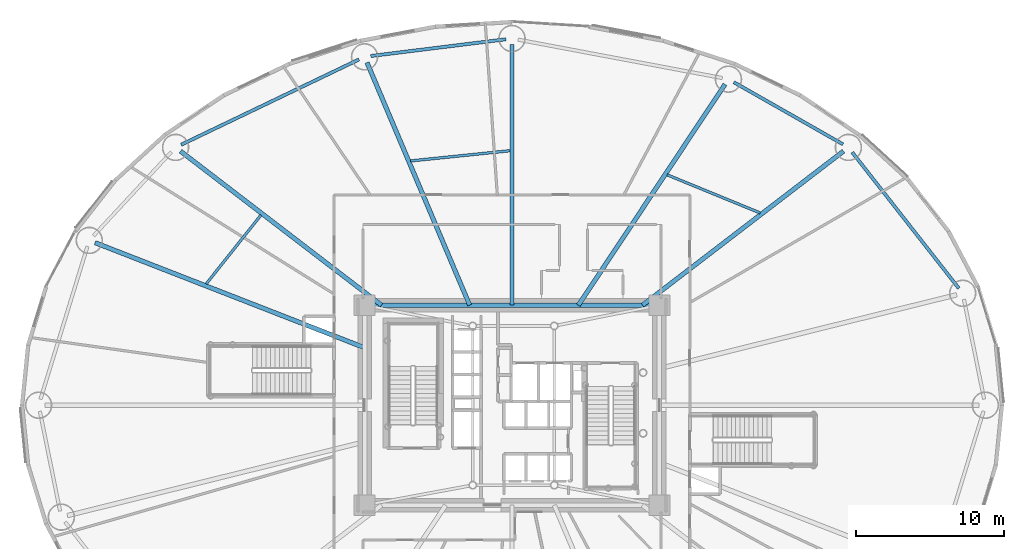
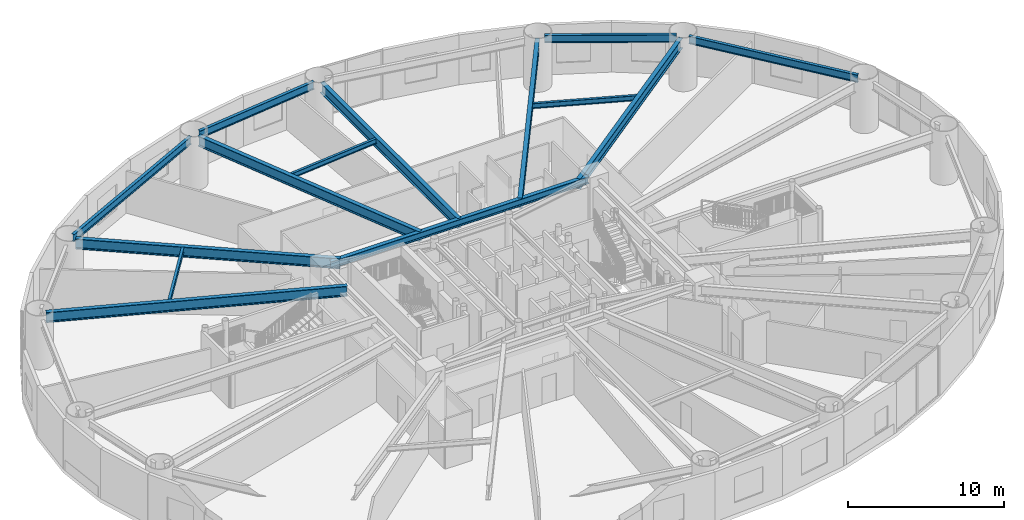
# One storey, part 9 of 27: 14 beams.
"""IFC4 building model written with IfcOpenShell, lengths in metres."""

from ifc_helpers import new_model, si_unit, direction, frame, origin, origin_2d, place, context, subcontext, project, spatial, i_section, extrude, material, material_profile, profile_set, type_object, element, save


model = new_model("IFC4")

# Units and contexts
model_context = context("Model", 3, precision=1e-05, world=origin(), true_north=direction((0.0, 1.0)))
body_context = subcontext(model_context, "Body", "Model", "MODEL_VIEW")
ifc_project = project(units=[si_unit("LENGTHUNIT", "METRE"), si_unit("AREAUNIT", "SQUARE_METRE"), si_unit("VOLUMEUNIT", "CUBIC_METRE"), si_unit("PLANEANGLEUNIT", "RADIAN"), si_unit("MASSUNIT", "GRAM", prefix="KILO")], contexts=[model_context])

# Site, building, storey
site_placement = place(None, origin())
site = spatial("IfcSite", under=ifc_project, at=site_placement, CompositionType="ELEMENT")
building_placement = place(site_placement, origin())
building = spatial("IfcBuilding", under=site, at=building_placement, Name="Linh Dai School and Residence Tower", CompositionType="ELEMENT")
storey_placement = place(building_placement, frame((0.0, 0.0, 18.60009765625)))
storey = spatial("IfcBuildingStorey", under=building, at=storey_placement, Name="L04", CompositionType="ELEMENT", Elevation=18.60009765625)

# Beams
ifc_material = material(Name="Structural Steel S355JR", Category="steel")
ifc_material_profile_1 = material_profile(ifc_material, i_section(OverallWidth=0.219970703125, OverallDepth=0.60009765625, WebThickness=0.011962890625, FlangeThickness=0.01904296875, FilletRadius=0.02392578125, at=origin_2d()), Name="IPE 600")
ifc_profile_set_1 = profile_set([ifc_material_profile_1], Name="Structural Steel S355JR")
beam_type_1 = type_object("IfcBeamType", Name="BM-RB60", PredefinedType="BEAM", material=ifc_profile_set_1)
beam_1_placement = place(storey_placement, frame((66.161376953125, 34.885986328125, 3.599853515625), z_axis=(-0.616811949607, 0.787110550572, 0.0), x_axis=(-0.787110550572, -0.616811949607, 0.0)))
element("IfcBeam", 1, at=beam_1_placement, inside=storey, type_object=beam_type_1, Name="L04 Perimeter Elliptical Ring Beam 02", PredefinedType="BEAM", context=body_context, shape_type="SweptSolid", body=[
    extrude(i_section(OverallWidth=0.219970703125, OverallDepth=0.60009765625, WebThickness=0.011962890625, FlangeThickness=0.01904296875, FilletRadius=0.02392578125, at=origin_2d()), origin(), (0.0, 0.0, 1.0), 11.668212890625),
])
beam_2_placement = place(storey_placement, frame((58.340087890625, 44.6083984375, 3.599853515625), z_axis=(-0.869246663758, 0.494378637833, 0.0), x_axis=(-0.494378637833, -0.869246663758, 0.0)))
element("IfcBeam", 2, at=beam_2_placement, inside=storey, type_object=beam_type_1, Name="L04 Perimeter Elliptical Ring Beam 03", PredefinedType="BEAM", context=body_context, shape_type="SweptSolid", body=[
    extrude(i_section(OverallWidth=0.219970703125, OverallDepth=0.60009765625, WebThickness=0.011962890625, FlangeThickness=0.01904296875, FilletRadius=0.02392578125, at=origin_2d()), origin(), (0.0, 0.0, 1.0), 8.4736328125),
])
beam_3_placement = place(storey_placement, frame((35.583251953125, 51.6982421875, 3.599853515625), z_axis=(-0.992402470446, -0.123033884169, 0.0), x_axis=(0.123033884169, -0.992402470446, 0.0)))
element("IfcBeam", 3, at=beam_3_placement, inside=storey, type_object=beam_type_1, Name="L04 Perimeter Elliptical Ring Beam 05", PredefinedType="BEAM", context=body_context, shape_type="SweptSolid", body=[
    extrude(i_section(OverallWidth=0.219970703125, OverallDepth=0.60009765625, WebThickness=0.011962890625, FlangeThickness=0.01904296875, FilletRadius=0.02392578125, at=origin_2d()), origin(), (0.0, 0.0, 1.0), 9.1875),
])
beam_4_placement = place(storey_placement, frame((25.670166015625, 50.33447265625, 3.599853515625), z_axis=(-0.901703667424, -0.432354595388, 0.0), x_axis=(0.432354595388, -0.901703667424, 0.0)))
element("IfcBeam", 4, at=beam_4_placement, inside=storey, type_object=beam_type_1, Name="L04 Perimeter Elliptical Ring Beam 06", PredefinedType="BEAM", context=body_context, shape_type="SweptSolid", body=[
    extrude(i_section(OverallWidth=0.219970703125, OverallDepth=0.60009765625, WebThickness=0.011962890625, FlangeThickness=0.01904296875, FilletRadius=0.02392578125, at=origin_2d()), origin(), (0.0, 0.0, 1.0), 13.304443359375),
])
ifc_material_profile_2 = material_profile(ifc_material, i_section(OverallWidth=0.300048828125, OverallDepth=0.550048828125, WebThickness=0.014892578125, FlangeThickness=0.029052734375, FilletRadius=0.027099609375, at=origin_2d()), Name="HEB 550")
ifc_profile_set_2 = profile_set([ifc_material_profile_2], Name="Structural Steel S355JR")
beam_type_2 = type_object("IfcBeamType", Name="BM-RG55", PredefinedType="BEAM", material=ifc_profile_set_2)
beam_5_placement = place(storey_placement, frame((45.530029296875, 33.75, 3.625), z_axis=(-1.0, 0.0, 0.0), x_axis=(0.0, -1.0, 0.0)))
element("IfcBeam", 5, at=beam_5_placement, inside=storey, type_object=beam_type_2, Name="L04 Core Perimeter Coupling Girder 3", PredefinedType="BEAM", context=body_context, shape_type="SweptSolid", body=[
    extrude(i_section(OverallWidth=0.300048828125, OverallDepth=0.550048828125, WebThickness=0.014892578125, FlangeThickness=0.029052734375, FilletRadius=0.027099609375, at=origin_2d()), origin(), (0.0, 0.0, 1.0), 19.06005859375),
])
ifc_material_profile_3 = material_profile(ifc_material, i_section(OverallWidth=0.300048828125, OverallDepth=0.800048828125, WebThickness=0.017578125, FlangeThickness=0.032958984375, FilletRadius=0.030029296875, at=origin_2d()), Name="HEB 800")
ifc_profile_set_3 = profile_set([ifc_material_profile_3], Name="Structural Steel S355JR")
beam_type_3 = type_object("IfcBeamType", Name="BM-RG8", PredefinedType="BEAM", material=ifc_profile_set_3)
beam_6_placement = place(storey_placement, frame((44.807861328125, 33.75, 3.5), z_axis=(0.793713040757, 0.608292371259, 0.0), x_axis=(-0.608292371259, 0.793713040757, 0.0)))
element("IfcBeam", 6, at=beam_6_placement, inside=storey, type_object=beam_type_3, Name="L04 Primary Radial Floor Girder 03", PredefinedType="BEAM", context=body_context, shape_type="SweptSolid", body=[
    extrude(i_section(OverallWidth=0.300048828125, OverallDepth=0.800048828125, WebThickness=0.017578125, FlangeThickness=0.032958984375, FilletRadius=0.030029296875, at=origin_2d()), origin(), (0.0, 0.0, 1.0), 17.08935546875),
])
beam_7_placement = place(storey_placement, frame((40.481201171875, 33.75, 3.5), z_axis=(0.553108911901, 0.833108955404, 0.0), x_axis=(-0.833108955404, 0.553108911901, 0.0)))
element("IfcBeam", 7, at=beam_7_placement, inside=storey, type_object=beam_type_3, Name="L04 Primary Radial Floor Girder 04", PredefinedType="BEAM", context=body_context, shape_type="SweptSolid", body=[
    extrude(i_section(OverallWidth=0.300048828125, OverallDepth=0.800048828125, WebThickness=0.017578125, FlangeThickness=0.032958984375, FilletRadius=0.030029296875, at=origin_2d()), origin(), (0.0, 0.0, 1.0), 17.89111328125),
])
beam_8_placement = place(storey_placement, frame((36.0, 33.75, 3.5), z_axis=(0.0, 1.0, 0.0), x_axis=(-1.0, 0.0, 0.0)))
element("IfcBeam", 8, at=beam_8_placement, inside=storey, type_object=beam_type_3, Name="L04 Primary Radial Floor Girder 05", PredefinedType="BEAM", context=body_context, shape_type="SweptSolid", body=[
    extrude(i_section(OverallWidth=0.300048828125, OverallDepth=0.800048828125, WebThickness=0.017578125, FlangeThickness=0.032958984375, FilletRadius=0.030029296875, at=origin_2d()), origin(), (0.0, 0.0, 1.0), 17.580078125),
])
beam_9_placement = place(storey_placement, frame((33.1435546875, 33.75, 3.5), z_axis=(-0.389695518128, 0.920943756779, 0.0), x_axis=(-0.920943756779, -0.389695518128, 0.0)))
element("IfcBeam", 9, at=beam_9_placement, inside=storey, type_object=beam_type_3, Name="L04 Primary Radial Floor Girder 06", PredefinedType="BEAM", context=body_context, shape_type="SweptSolid", body=[
    extrude(i_section(OverallWidth=0.300048828125, OverallDepth=0.800048828125, WebThickness=0.017578125, FlangeThickness=0.032958984375, FilletRadius=0.030029296875, at=origin_2d()), origin(), (0.0, 0.0, 1.0), 17.785400390625),
])
beam_10_placement = place(storey_placement, frame((27.192138671875, 33.75, 3.5), z_axis=(-0.793713040757, 0.608292371259, 0.0), x_axis=(-0.608292371259, -0.793713040757, 0.0)))
element("IfcBeam", 10, at=beam_10_placement, inside=storey, type_object=beam_type_3, Name="L04 Primary Radial Floor Girder 07", PredefinedType="BEAM", context=body_context, shape_type="SweptSolid", body=[
    extrude(i_section(OverallWidth=0.300048828125, OverallDepth=0.800048828125, WebThickness=0.017578125, FlangeThickness=0.032958984375, FilletRadius=0.030029296875, at=origin_2d()), origin(), (0.0, 0.0, 1.0), 17.08935546875),
])
beam_11_placement = place(storey_placement, frame((26.050048828125, 30.87841796875, 3.5), z_axis=(-0.931723276589, 0.363169018312, 0.0), x_axis=(-0.363169018312, -0.931723276589, 0.0)))
element("IfcBeam", 11, at=beam_11_placement, inside=storey, type_object=beam_type_3, Name="L04 Primary Radial Floor Girder 08", PredefinedType="BEAM", context=body_context, shape_type="SweptSolid", body=[
    extrude(i_section(OverallWidth=0.300048828125, OverallDepth=0.800048828125, WebThickness=0.017578125, FlangeThickness=0.032958984375, FilletRadius=0.030029296875, at=origin_2d()), origin(), (0.0, 0.0, 1.0), 19.525634765625),
])
ifc_material_profile_4 = material_profile(ifc_material, i_section(OverallWidth=0.179931640625, OverallDepth=0.39990234375, WebThickness=0.008544921875, FlangeThickness=0.013427734375, FilletRadius=0.02099609375, at=origin_2d()), Name="IPE 400")
ifc_profile_set_4 = profile_set([ifc_material_profile_4], Name="Structural Steel S355JR")
beam_type_4 = type_object("IfcBeamType", Name="BM-SB40", PredefinedType="BEAM", material=ifc_profile_set_4)
beam_12_placement = place(storey_placement, frame((52.748046875, 39.976806640625, 3.699951171875), z_axis=(-0.925243182728, 0.37937455478, 0.0), x_axis=(-0.37937455478, -0.925243182728, 0.0)))
element("IfcBeam", 12, at=beam_12_placement, inside=storey, type_object=beam_type_4, Name="L04 Secondary Circumferential Floor Beam 02", PredefinedType="BEAM", context=body_context, shape_type="SweptSolid", body=[
    extrude(i_section(OverallWidth=0.179931640625, OverallDepth=0.39990234375, WebThickness=0.008544921875, FlangeThickness=0.013427734375, FilletRadius=0.02099609375, at=origin_2d()), origin(), (0.0, 0.0, 1.0), 6.779052734375),
])
beam_13_placement = place(storey_placement, frame((35.87060546875, 44.1767578125, 3.699951171875), z_axis=(-0.994770416376, -0.102136275157, 0.0), x_axis=(0.102136275157, -0.994770416376, 0.0)))
element("IfcBeam", 13, at=beam_13_placement, inside=storey, type_object=beam_type_4, Name="L04 Secondary Circumferential Floor Beam 03", PredefinedType="BEAM", context=body_context, shape_type="SweptSolid", body=[
    extrude(i_section(OverallWidth=0.179931640625, OverallDepth=0.39990234375, WebThickness=0.008544921875, FlangeThickness=0.013427734375, FilletRadius=0.02099609375, at=origin_2d()), origin(), (0.0, 0.0, 1.0), 6.748046875),
])
beam_14_placement = place(storey_placement, frame((19.05078125, 39.82568359375, 3.699951171875), z_axis=(-0.622928179858, -0.782279031254, 0.0), x_axis=(0.782279031254, -0.622928179858, 0.0)))
element("IfcBeam", 14, at=beam_14_placement, inside=storey, type_object=beam_type_4, Name="L04 Secondary Circumferential Floor Beam 04", PredefinedType="BEAM", context=body_context, shape_type="SweptSolid", body=[
    extrude(i_section(OverallWidth=0.179931640625, OverallDepth=0.39990234375, WebThickness=0.008544921875, FlangeThickness=0.013427734375, FilletRadius=0.02099609375, at=origin_2d()), origin(), (0.0, 0.0, 1.0), 5.936767578125),
])

save(model, "model.ifc")
